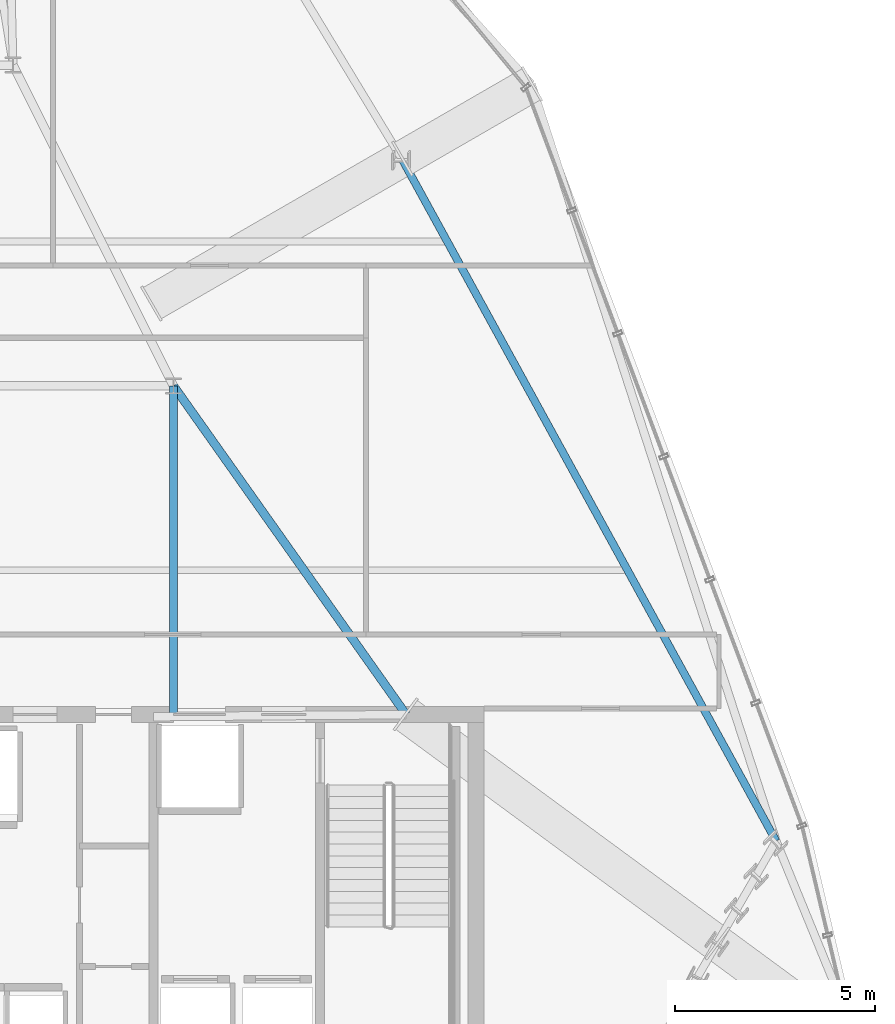
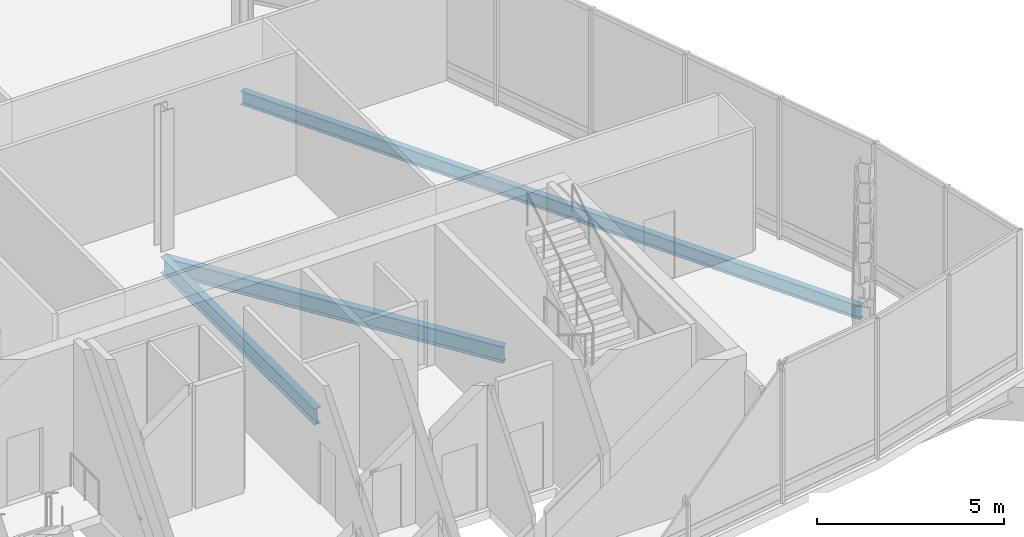
# One storey, part 12 of 28: 3 beams.
"""IFC4 building model written with IfcOpenShell, lengths in metres."""

import ifcopenshell
import ifcopenshell.guid

model = None  # the IFC model being written
_history = None  # IfcOwnerHistory: only IFC2X3 demands one
_inside = {}  # id of a spatial element -> (the spatial element, [elements in it])
_under = {}  # id of a project, library or spatial element -> (it, [spatial elements below it])
_declared = {}  # id of a project -> (the project, [libraries it declares])
_typed = {}  # id of a type object -> (the type object, [elements of that type])
_made_of = {}  # id of a material, layer set ... -> (it, [elements and type objects made of it])


def new_model(schema):
    """Start an empty IFC model of exactly this schema.

    Asked for "IFC4X3", IfcOpenShell would pick the latest addendum, in which some entities
    have other attributes; the version numbers below select the first issue.
    IFC2X3 requires an IfcOwnerHistory on every rooted entity: one is made here for all.
    """
    global model, _history
    if schema == "IFC4X3":
        model = ifcopenshell.file(schema_version=(4, 3, 0, 0))
    else:
        model = ifcopenshell.file(schema=schema)
    _inside.clear()
    _under.clear()
    _declared.clear()
    _typed.clear()
    _made_of.clear()
    _history = None
    if model.schema == "IFC2X3":
        org = make("IfcOrganization", Name="unknown")
        user = make(
            "IfcPersonAndOrganization",
            ThePerson=make("IfcPerson", FamilyName="unknown"),
            TheOrganization=org,
        )
        app = make(
            "IfcApplication",
            ApplicationDeveloper=org,
            Version="unknown",
            ApplicationFullName="unknown",
            ApplicationIdentifier="unknown",
        )
        _history = make(
            "IfcOwnerHistory",
            OwningUser=user,
            OwningApplication=app,
            ChangeAction="ADDED",
            CreationDate=0,
        )
    return model


def make(cls, **values):
    """One entity of the class cls with the attributes given. An attribute that is None is left unset."""
    return model.create_entity(
        cls, **{name: value for name, value in values.items() if value is not None}
    )


def rooted(cls, **values):
    """An entity with a GlobalId (a new one), such as an element, a storey or a relation."""
    return make(cls, GlobalId=ifcopenshell.guid.new(), OwnerHistory=_history, **values)


def si_unit(unit_type, name, prefix=None):
    """IfcSIUnit, for example si_unit("LENGTHUNIT", "METRE", prefix="MILLI")."""
    return make("IfcSIUnit", UnitType=unit_type, Prefix=prefix, Name=name)


def assignment(units):
    """IfcUnitAssignment: the units of a project."""
    return None if units is None else make("IfcUnitAssignment", Units=units)


def point(xyz):
    """IfcCartesianPoint."""
    return None if xyz is None else make("IfcCartesianPoint", Coordinates=xyz)


def direction(xyz):
    """IfcDirection."""
    return None if xyz is None else make("IfcDirection", DirectionRatios=xyz)


def frame(location, z_axis=None, x_axis=None):
    """IfcAxis2Placement3D, a coordinate frame: its origin and axes. An axis left out is left unset."""
    return make(
        "IfcAxis2Placement3D",
        Location=point(location),
        Axis=direction(z_axis),
        RefDirection=direction(x_axis),
    )


def frame_2d(location, x_axis=None):
    """IfcAxis2Placement2D, a coordinate frame in the plane: its origin and x axis."""
    return make(
        "IfcAxis2Placement2D", Location=point(location), RefDirection=direction(x_axis)
    )


def origin():
    """The frame at (0, 0, 0) with its axes left unset."""
    return frame((0.0, 0.0, 0.0))


def origin_2d():
    """The frame at (0, 0) in the plane with its x axis left unset."""
    return frame_2d((0.0, 0.0))


def place(relative_to, where):
    """IfcLocalPlacement: puts the frame where relative to a parent placement (None: the world)."""
    return make(
        "IfcLocalPlacement", PlacementRelTo=relative_to, RelativePlacement=where
    )


def context(
    kind, dimensions, precision=None, world=None, true_north=None, identifier=None
):
    """IfcGeometricRepresentationContext, for example the 3D "Model" context."""
    return make(
        "IfcGeometricRepresentationContext",
        ContextIdentifier=identifier,
        ContextType=kind,
        CoordinateSpaceDimension=dimensions,
        Precision=precision,
        WorldCoordinateSystem=world,
        TrueNorth=true_north,
    )


def subcontext(parent, identifier, kind, view, scale=None):
    """IfcGeometricRepresentationSubContext, for example "Body" below "Model"."""
    return make(
        "IfcGeometricRepresentationSubContext",
        ContextIdentifier=identifier,
        ContextType=kind,
        ParentContext=parent,
        TargetScale=scale,
        TargetView=view,
    )


def project(units=None, contexts=None):
    """IfcProject with its units and contexts."""
    return rooted(
        "IfcProject",
        Name="project",
        RepresentationContexts=contexts,
        UnitsInContext=assignment(units),
    )


def spatial(cls, under=None, at=None, **own):
    """A site, building, storey or space (cls), placed at a placement, below another one or the project."""
    s = rooted(cls, ObjectPlacement=at, **own)
    if under is not None:
        _under.setdefault(under.id(), (under, []))[1].append(s)
    return s


def profile(cls, at=None, kind="AREA", **sizes):
    """A parametric profile (cls). Its sizes go by their IFC names, for example OverallWidth=200.0."""
    return make(cls, ProfileType=kind, Position=at, **sizes)


def i_section(**sizes):
    """IfcIShapeProfileDef."""
    return profile("IfcIShapeProfileDef", **sizes)


def extrude(swept, where, along, depth):
    """IfcExtrudedAreaSolid: the profile swept, set in the frame where, extruded along a direction by depth."""
    return make(
        "IfcExtrudedAreaSolid",
        SweptArea=swept,
        Position=where,
        ExtrudedDirection=direction(along),
        Depth=depth,
    )


def shape(context_of_items, identifier, shape_type, items):
    """IfcShapeRepresentation: the items that make up one representation, for example the "Body"."""
    return make(
        "IfcShapeRepresentation",
        ContextOfItems=context_of_items,
        RepresentationIdentifier=identifier,
        RepresentationType=shape_type,
        Items=items,
    )


def material(Name=None, Category=None):
    """IfcMaterial."""
    return make("IfcMaterial", Name=Name, Category=Category)


def material_profile(
    of_material, cross_section, Name=None, Category=None, Priority=None
):
    """IfcMaterialProfile: a cross section and its material."""
    return make(
        "IfcMaterialProfile",
        Name=Name,
        Material=of_material,
        Profile=cross_section,
        Priority=Priority,
        Category=Category,
    )


def profile_set(profiles, Name=None, composite=None):
    """IfcMaterialProfileSet."""
    return make(
        "IfcMaterialProfileSet",
        Name=Name,
        MaterialProfiles=profiles,
        CompositeProfile=composite,
    )


def made_of(thing, what):
    """Note that an element or type object is made of a material, layer set ...; save() writes the relation."""
    if what is not None:
        _made_of.setdefault(what.id(), (what, []))[1].append(thing)
    return thing


def type_object(cls, material=None, **own):
    """A type object (cls), such as IfcWallType, which elements share."""
    return made_of(rooted(cls, **own), material)


def element(
    cls,
    number,
    at=None,
    inside=None,
    cuts=None,
    type_object=None,
    material=None,
    context=None,
    identifier="Body",
    shape_type=None,
    held_by="IfcProductDefinitionShape",
    body=None,
    shapes=None,
    **own,
):
    """One element of the class cls, such as IfcWall. Its Tag is "e" and its number.

    at: its placement. inside: the storey or other place that contains it. cuts: it is an
    opening in that element (IfcRelVoidsElement). A single representation is given by context,
    identifier, shape_type and body (its items); several are given by shapes. held_by: the class
    of the entity that holds the representations. save() writes the other relations.
    """
    e = rooted(cls, Tag="e%d" % number, ObjectPlacement=at, **own)
    if body is not None:
        shapes = [shape(context, identifier, shape_type, body)]
    if shapes is not None:
        e.Representation = make(held_by, Representations=shapes)
    if inside is not None:
        _inside.setdefault(inside.id(), (inside, []))[1].append(e)
    if cuts is not None:
        rooted(
            "IfcRelVoidsElement", RelatingBuildingElement=cuts, RelatedOpeningElement=e
        )
    if type_object is not None:
        _typed.setdefault(type_object.id(), (type_object, []))[1].append(e)
    return made_of(e, material)


def aggregate(whole, parts):
    """IfcRelAggregates: a whole, such as a stair, and the parts it consists of."""
    return rooted("IfcRelAggregates", RelatingObject=whole, RelatedObjects=parts)


def save(model, path):
    """Write the relations noted so far, then the file.

    IfcRelAggregates (storeys below a building ...), IfcRelContainedInSpatialStructure (elements
    in a storey), IfcRelDefinesByType, IfcRelAssociatesMaterial and IfcRelDeclares: one each for
    every whole, place, type object, material and project.
    """
    for whole, parts in _under.values():
        aggregate(whole, parts)
    for where, things in _inside.values():
        rooted(
            "IfcRelContainedInSpatialStructure",
            RelatedElements=things,
            RelatingStructure=where,
        )
    for kind, things in _typed.values():
        rooted("IfcRelDefinesByType", RelatedObjects=things, RelatingType=kind)
    for what, things in _made_of.values():
        rooted("IfcRelAssociatesMaterial", RelatedObjects=things, RelatingMaterial=what)
    for by, libraries in _declared.values():
        rooted("IfcRelDeclares", RelatingContext=by, RelatedDefinitions=libraries)
    model.write(path)


model = new_model("IFC4")

# Units and contexts
model_context = context("Model", 3, precision=1e-05, world=origin(), true_north=direction((0.0, 1.0)))
body_context = subcontext(model_context, "Body", "Model", "MODEL_VIEW")
ifc_project = project(units=[si_unit("LENGTHUNIT", "METRE"), si_unit("AREAUNIT", "SQUARE_METRE"), si_unit("VOLUMEUNIT", "CUBIC_METRE"), si_unit("PLANEANGLEUNIT", "RADIAN"), si_unit("MASSUNIT", "GRAM", prefix="KILO")], contexts=[model_context])

# Site, building, storey
site_placement = place(None, origin())
site = spatial("IfcSite", under=ifc_project, at=site_placement, CompositionType="ELEMENT")
building_placement = place(site_placement, origin())
building = spatial("IfcBuilding", under=site, at=building_placement, Name="Ndaravel Arena Tower", CompositionType="ELEMENT")
storey_placement = place(building_placement, frame((0.0, 0.0, 213.199951171875)))
storey = spatial("IfcBuildingStorey", under=building, at=storey_placement, Name="L51", CompositionType="ELEMENT", Elevation=213.199951171875)

# Beams
ifc_material_1 = material(Name="Steel S355", Category="steel")
ifc_material_profile_1 = material_profile(ifc_material_1, i_section(OverallWidth=0.210693359375, OverallDepth=0.53955078125, WebThickness=0.01171875, FlangeThickness=0.018798828125, FilletRadius=0.0126953125, at=origin_2d()), Name="UB 533x210x109")
ifc_profile_set_1 = profile_set([ifc_material_profile_1], Name="Steel S355")
beam_type_1 = type_object("IfcBeamType", Name="BM-GIRD-UB533", PredefinedType="BEAM", material=ifc_profile_set_1)
beam_1_placement = place(storey_placement, frame((49.800048828125, 14.97998046875, -0.5498046875), z_axis=(0.0, 1.0, 0.0), x_axis=(-1.0, 0.0, 0.0)))
element("IfcBeam", 1, at=beam_1_placement, inside=storey, type_object=beam_type_1, Name="L51 Spine Link Girder SLG-02", PredefinedType="BEAM", context=body_context, shape_type="SweptSolid", body=[
    extrude(i_section(OverallWidth=0.210693359375, OverallDepth=0.53955078125, WebThickness=0.01171875, FlangeThickness=0.018798828125, FilletRadius=0.0126953125, at=origin_2d()), origin(), (0.0, 0.0, 1.0), 8.219970703125),
])
beam_2_placement = place(storey_placement, frame((55.603515625, 15.0, -0.5498046875), z_axis=(-0.57769700771, 0.8162512893, 0.0), x_axis=(-0.8162512893, -0.57769700771, 0.0)))
element("IfcBeam", 2, at=beam_2_placement, inside=storey, type_object=beam_type_1, Name="L51 Star Backspan Anchor Tie SAT2-3", PredefinedType="BEAM", context=body_context, shape_type="SweptSolid", body=[
    extrude(i_section(OverallWidth=0.210693359375, OverallDepth=0.53955078125, WebThickness=0.01171875, FlangeThickness=0.018798828125, FilletRadius=0.0126953125, at=origin_2d()), origin(), (0.0, 0.0, 1.0), 10.0458984375),
])
ifc_material_2 = material(Name="Steel S355", Category="steel")
ifc_material_profile_2 = material_profile(ifc_material_2, i_section(OverallWidth=0.18994140625, OverallDepth=0.449951171875, WebThickness=0.009521484375, FlangeThickness=0.0146484375, FilletRadius=0.02099609375, at=origin_2d()), Name="IPE 450")
ifc_profile_set_2 = profile_set([ifc_material_profile_2], Name="Steel S355")
beam_type_2 = type_object("IfcBeamType", Name="BM-SPAN-IPE450", PredefinedType="SPANDREL", material=ifc_profile_set_2)
beam_3_placement = place(storey_placement, frame((64.82861328125, 11.84814453125, -0.5048828125), z_axis=(-0.480930598805, 0.876758666415, 0.0), x_axis=(-0.876758666415, -0.480930598805, 0.0)))
element("IfcBeam", 3, at=beam_3_placement, inside=storey, type_object=beam_type_2, Name="L51 Perimeter Spandrel Beam SP-09", PredefinedType="SPANDREL", context=body_context, shape_type="SweptSolid", body=[
    extrude(i_section(OverallWidth=0.18994140625, OverallDepth=0.449951171875, WebThickness=0.009521484375, FlangeThickness=0.0146484375, FilletRadius=0.02099609375, at=origin_2d()), origin(), (0.0, 0.0, 1.0), 19.401611328125),
])

save(model, "model.ifc")
